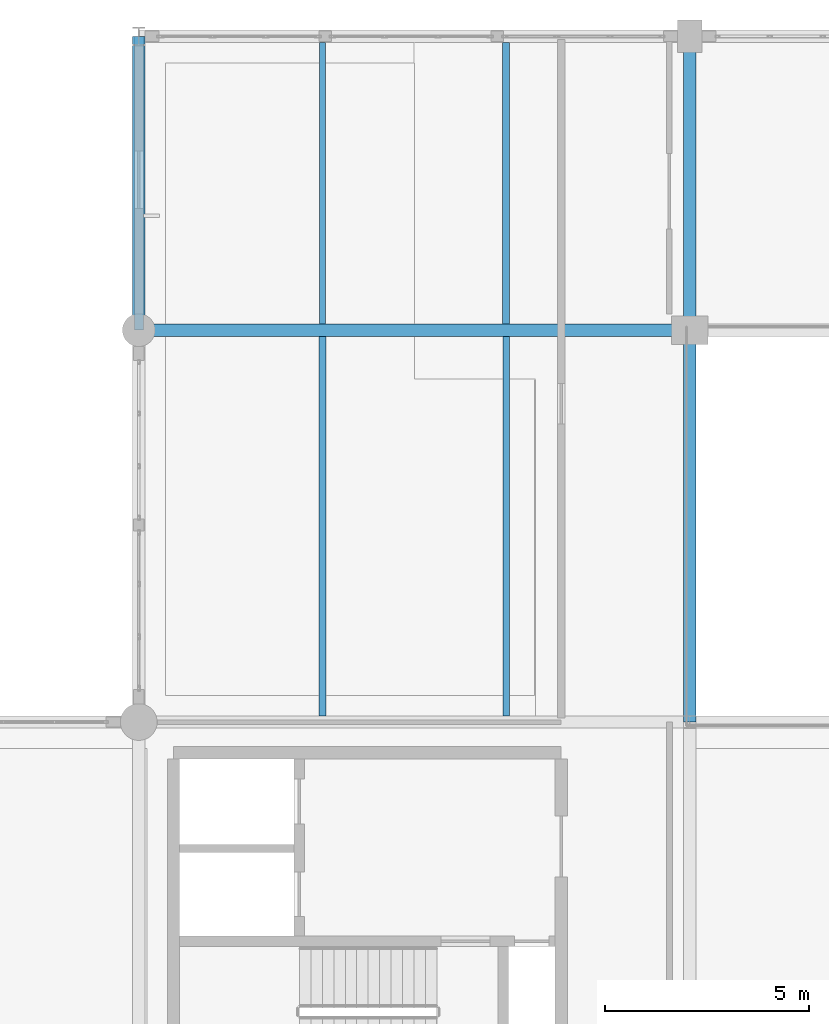
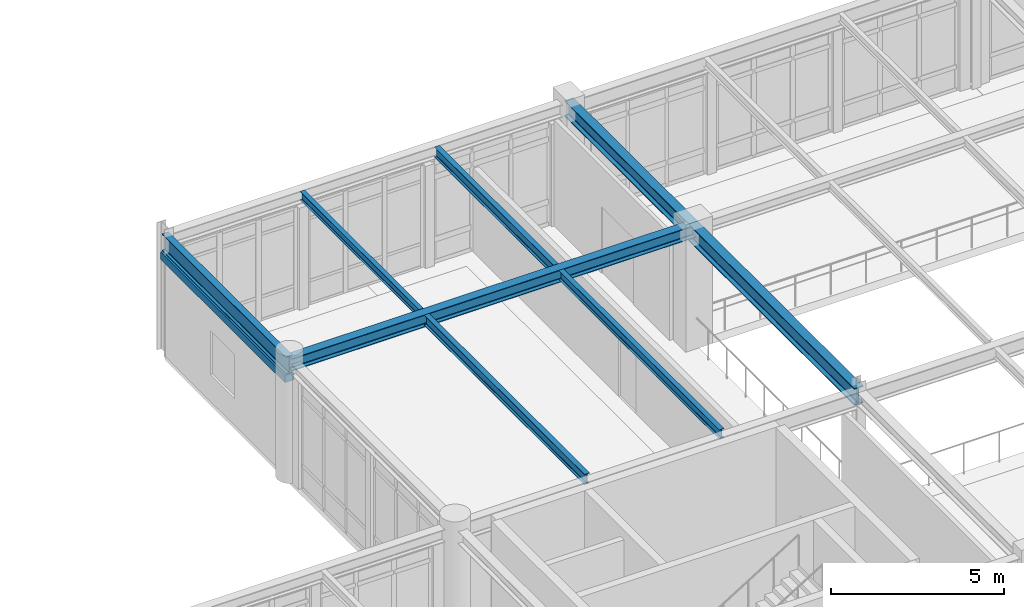
# One storey, part 14 of 61: 9 beams.
"""IFC4 building model written with IfcOpenShell, lengths in metres."""

from ifc_helpers import new_model, si_unit, direction, frame, origin, origin_2d, place, context, subcontext, project, spatial, rectangle, i_section, extrude, material, material_profile, profile_set, type_object, element, save


model = new_model("IFC4")

# Units and contexts
model_context = context("Model", 3, precision=1e-05, world=origin(), true_north=direction((0.0, 1.0)))
body_context = subcontext(model_context, "Body", "Model", "MODEL_VIEW")
ifc_project = project(units=[si_unit("LENGTHUNIT", "METRE"), si_unit("AREAUNIT", "SQUARE_METRE"), si_unit("VOLUMEUNIT", "CUBIC_METRE"), si_unit("PLANEANGLEUNIT", "RADIAN"), si_unit("MASSUNIT", "GRAM", prefix="KILO")], contexts=[model_context])

# Site, building, storey
site_placement = place(None, origin())
site = spatial("IfcSite", under=ifc_project, at=site_placement, CompositionType="ELEMENT")
building_placement = place(site_placement, origin())
building = spatial("IfcBuilding", under=site, at=building_placement, Name="Fikremerkos Civic Library", CompositionType="ELEMENT")
storey_placement = place(building_placement, frame((0.0, 0.0, 14.39990234375)))
storey = spatial("IfcBuildingStorey", under=building, at=storey_placement, Name="L03", CompositionType="ELEMENT", Elevation=14.39990234375)

# Beams
ifc_material_1 = material(Name="Steel S355", Category="steel")
ifc_material_profile_1 = material_profile(ifc_material_1, i_section(OverallWidth=0.169921875, OverallDepth=0.360107421875, WebThickness=0.008056640625, FlangeThickness=0.0126953125, FilletRadius=0.01806640625, at=origin_2d()), Name="IPE 360")
ifc_profile_set_1 = profile_set([ifc_material_profile_1], Name="Steel S355")
beam_type_1 = type_object("IfcBeamType", Name="Floor joist JS-09 IPE 360", PredefinedType="JOIST", material=ifc_profile_set_1)
beam_1_placement = place(storey_placement, frame((50.699951171875, 31.35009765625, 4.0400390625), z_axis=(0.0, 1.0, 0.0), x_axis=(-1.0, 0.0, 0.0)))
element("IfcBeam", 1, at=beam_1_placement, inside=storey, type_object=beam_type_1, Name="Floor joist JS-09 L03 #544", PredefinedType="JOIST", context=body_context, shape_type="SweptSolid", body=[
    extrude(i_section(OverallWidth=0.169921875, OverallDepth=0.360107421875, WebThickness=0.008056640625, FlangeThickness=0.0126953125, FilletRadius=0.01806640625, at=origin_2d()), origin(), (0.0, 0.0, 1.0), 9.2998046875),
])
beam_2_placement = place(storey_placement, frame((55.199951171875, 40.949951171875, 4.0400390625), z_axis=(0.0, 1.0, 0.0), x_axis=(-1.0, 0.0, 0.0)))
element("IfcBeam", 2, at=beam_2_placement, inside=storey, type_object=beam_type_1, Name="Floor joist JS-09 L03 #547", PredefinedType="JOIST", context=body_context, shape_type="SweptSolid", body=[
    extrude(i_section(OverallWidth=0.169921875, OverallDepth=0.360107421875, WebThickness=0.008056640625, FlangeThickness=0.0126953125, FilletRadius=0.01806640625, at=origin_2d()), origin(), (0.0, 0.0, 1.0), 6.900146484375),
])
ifc_material_profile_2 = material_profile(ifc_material_1, i_section(OverallWidth=0.159912109375, OverallDepth=0.330078125, WebThickness=0.007568359375, FlangeThickness=0.011474609375, FilletRadius=0.01806640625, at=origin_2d()), Name="IPE 330")
ifc_profile_set_2 = profile_set([ifc_material_profile_2], Name="Steel S355")
beam_type_2 = type_object("IfcBeamType", Name="Floor joist JS-10 IPE 330", PredefinedType="JOIST", material=ifc_profile_set_2)
beam_3_placement = place(storey_placement, frame((55.199951171875, 31.35009765625, 4.05517578125), z_axis=(0.0, 1.0, 0.0), x_axis=(-1.0, 0.0, 0.0)))
element("IfcBeam", 3, at=beam_3_placement, inside=storey, type_object=beam_type_2, Name="Floor joist JS-10 L03 #545", PredefinedType="JOIST", context=body_context, shape_type="SweptSolid", body=[
    extrude(i_section(OverallWidth=0.159912109375, OverallDepth=0.330078125, WebThickness=0.007568359375, FlangeThickness=0.011474609375, FilletRadius=0.01806640625, at=origin_2d()), origin(), (0.0, 0.0, 1.0), 9.2998046875),
])
ifc_material_profile_3 = material_profile(ifc_material_1, i_section(OverallWidth=0.14990234375, OverallDepth=0.300048828125, WebThickness=0.007080078125, FlangeThickness=0.0107421875, FilletRadius=0.014892578125, at=origin_2d()), Name="IPE 300")
ifc_profile_set_3 = profile_set([ifc_material_profile_3], Name="Steel S355")
beam_type_3 = type_object("IfcBeamType", Name="Floor joist JS-11 IPE 300", PredefinedType="JOIST", material=ifc_profile_set_3)
beam_4_placement = place(storey_placement, frame((50.699951171875, 40.949951171875, 4.070068359375), z_axis=(0.0, 1.0, 0.0), x_axis=(-1.0, 0.0, 0.0)))
element("IfcBeam", 4, at=beam_4_placement, inside=storey, type_object=beam_type_3, Name="Floor joist JS-11 L03 #546", PredefinedType="JOIST", context=body_context, shape_type="SweptSolid", body=[
    extrude(i_section(OverallWidth=0.14990234375, OverallDepth=0.300048828125, WebThickness=0.007080078125, FlangeThickness=0.0107421875, FilletRadius=0.014892578125, at=origin_2d()), origin(), (0.0, 0.0, 1.0), 6.900146484375),
])
ifc_material_2 = material(Name="Concrete C40/50", Category="concrete")
ifc_material_profile_4 = material_profile(ifc_material_2, rectangle(XDim=0.300048828125, YDim=0.260009765625, at=origin_2d()), Name="RC 300x260")
ifc_profile_set_4 = profile_set([ifc_material_profile_4], Name="Concrete C40/50")
beam_type_4 = type_object("IfcBeamType", Name="Opening lintel LNT-02 RC 300x260", PredefinedType="LINTEL", material=ifc_profile_set_4)
beam_5_placement = place(storey_placement, frame((46.199951171875, 40.800048828125, 3.460205078125), z_axis=(0.0, 1.0, 0.0), x_axis=(-1.0, 0.0, 0.0)))
element("IfcBeam", 5, at=beam_5_placement, inside=storey, type_object=beam_type_4, Name="Courtyard window head lintel LNT-02 L03 #38", PredefinedType="LINTEL", context=body_context, shape_type="SweptSolid", body=[
    extrude(rectangle(XDim=0.300048828125, YDim=0.260009765625, at=origin_2d()), origin(), (0.0, 0.0, 1.0), 7.199951171875),
])
ifc_material_profile_5 = material_profile(ifc_material_1, i_section(OverallWidth=0.300048828125, OverallDepth=0.60009765625, WebThickness=0.015380859375, FlangeThickness=0.030029296875, FilletRadius=0.027099609375, at=origin_2d()), Name="HEB 600")
ifc_profile_set_5 = profile_set([ifc_material_profile_5], Name="Steel S355")
beam_type_5 = type_object("IfcBeamType", Name="Primary girder BM-13 HEB 600", PredefinedType="BEAM", material=ifc_profile_set_5)
beam_6_placement = place(storey_placement, frame((59.699951171875, 31.199951171875, 3.920166015625), z_axis=(0.0, 1.0, 0.0), x_axis=(-1.0, 0.0, 0.0)))
element("IfcBeam", 6, at=beam_6_placement, inside=storey, type_object=beam_type_5, Name="Primary girder BM-13 L03 grid 6", PredefinedType="BEAM", context=body_context, shape_type="SweptSolid", body=[
    extrude(i_section(OverallWidth=0.300048828125, OverallDepth=0.60009765625, WebThickness=0.015380859375, FlangeThickness=0.030029296875, FilletRadius=0.027099609375, at=origin_2d()), origin(), (0.0, 0.0, 1.0), 9.60009765625),
])
ifc_material_profile_6 = material_profile(ifc_material_1, i_section(OverallWidth=0.300048828125, OverallDepth=0.550048828125, WebThickness=0.014892578125, FlangeThickness=0.029052734375, FilletRadius=0.027099609375, at=origin_2d()), Name="HEB 550")
ifc_profile_set_6 = profile_set([ifc_material_profile_6], Name="Steel S355")
beam_type_6 = type_object("IfcBeamType", Name="Primary girder BM-14 HEB 550", PredefinedType="BEAM", material=ifc_profile_set_6)
beam_7_placement = place(storey_placement, frame((59.699951171875, 40.800048828125, 3.945068359375), z_axis=(0.0, 1.0, 0.0), x_axis=(-1.0, 0.0, 0.0)))
element("IfcBeam", 7, at=beam_7_placement, inside=storey, type_object=beam_type_6, Name="Primary girder BM-14 L03 grid 6", PredefinedType="BEAM", context=body_context, shape_type="SweptSolid", body=[
    extrude(i_section(OverallWidth=0.300048828125, OverallDepth=0.550048828125, WebThickness=0.014892578125, FlangeThickness=0.029052734375, FilletRadius=0.027099609375, at=origin_2d()), origin(), (0.0, 0.0, 1.0), 7.199951171875),
])
ifc_material_profile_7 = material_profile(ifc_material_1, i_section(OverallWidth=0.300048828125, OverallDepth=0.43994140625, WebThickness=0.011474609375, FlangeThickness=0.02099609375, FilletRadius=0.027099609375, at=origin_2d()), Name="HEA 450")
ifc_profile_set_7 = profile_set([ifc_material_profile_7], Name="Steel S355")
beam_type_7 = type_object("IfcBeamType", Name="Primary girder BM-18 HEA 450", PredefinedType="BEAM", material=ifc_profile_set_7)
beam_8_placement = place(storey_placement, frame((46.199951171875, 40.800048828125, 4.0), z_axis=(1.0, 0.0, 0.0), x_axis=(0.0, 1.0, 0.0)))
element("IfcBeam", 8, at=beam_8_placement, inside=storey, type_object=beam_type_7, Name="Primary girder BM-18 L03 grid H", PredefinedType="BEAM", context=body_context, shape_type="SweptSolid", body=[
    extrude(i_section(OverallWidth=0.300048828125, OverallDepth=0.43994140625, WebThickness=0.011474609375, FlangeThickness=0.02099609375, FilletRadius=0.027099609375, at=origin_2d()), origin(), (0.0, 0.0, 1.0), 13.5),
])
ifc_material_profile_8 = material_profile(ifc_material_1, i_section(OverallWidth=0.219970703125, OverallDepth=0.60009765625, WebThickness=0.011962890625, FlangeThickness=0.01904296875, FilletRadius=0.02392578125, at=origin_2d()), Name="IPE 600")
ifc_profile_set_8 = profile_set([ifc_material_profile_8], Name="Steel S355")
beam_type_8 = type_object("IfcBeamType", Name="Primary girder BM-20 IPE 600", PredefinedType="BEAM", material=ifc_profile_set_8)
beam_9_placement = place(storey_placement, frame((46.199951171875, 40.800048828125, 3.920166015625), z_axis=(0.0, 1.0, 0.0), x_axis=(-1.0, 0.0, 0.0)))
element("IfcBeam", 9, at=beam_9_placement, inside=storey, type_object=beam_type_8, Name="Primary girder BM-20 L03 grid 5", PredefinedType="BEAM", context=body_context, shape_type="SweptSolid", body=[
    extrude(i_section(OverallWidth=0.219970703125, OverallDepth=0.60009765625, WebThickness=0.011962890625, FlangeThickness=0.01904296875, FilletRadius=0.02392578125, at=origin_2d()), origin(), (0.0, 0.0, 1.0), 7.199951171875),
])

save(model, "model.ifc")
